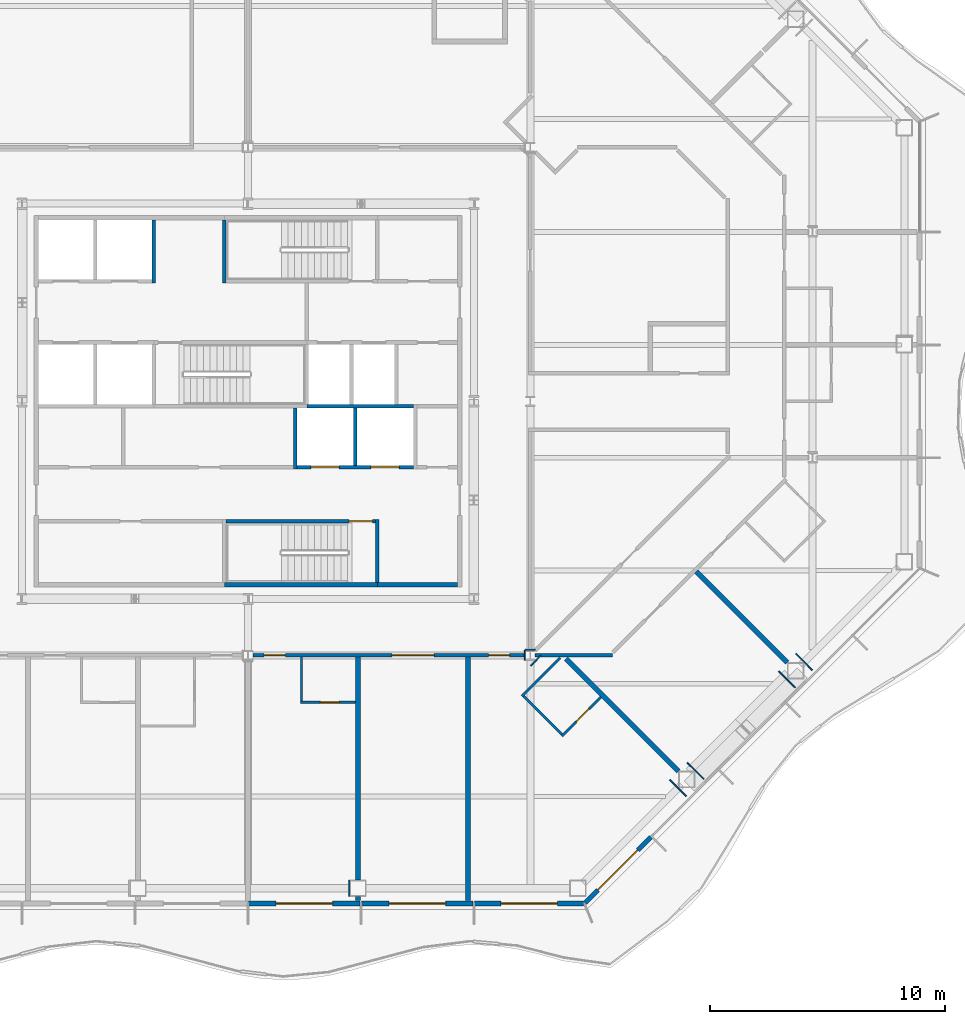
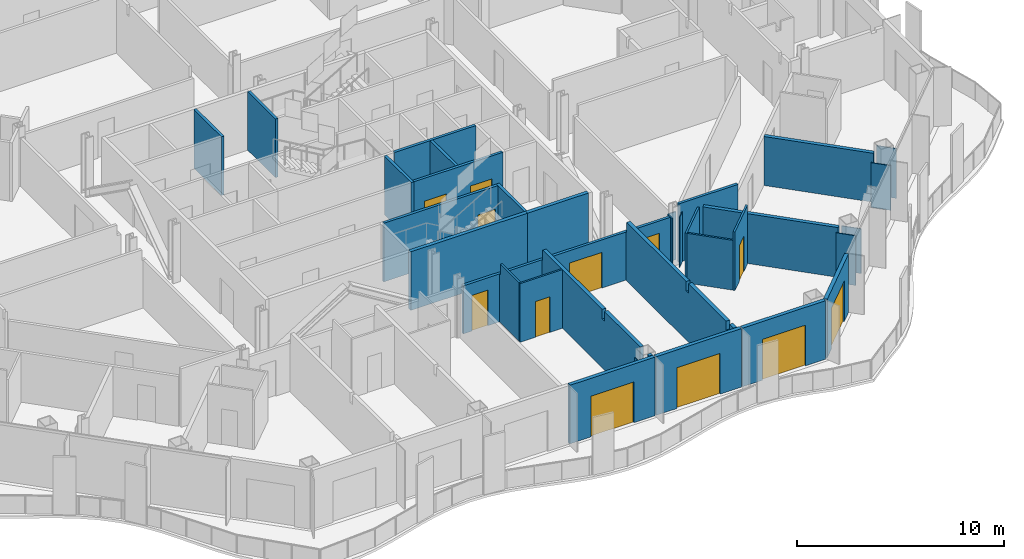
# One storey, part 9 of 21: 34 walls, 12 doors, 12 openings.
"""IFC4 building model written with IfcOpenShell, lengths in metres."""

from ifc_helpers import new_model, si_unit, direction, frame, frame_2d, origin, place, context, subcontext, project, spatial, polyline, rectangle, outline, extrude, material, layer, layer_set, type_object, element, fill, save


model = new_model("IFC4")

# Units and contexts
model_context = context("Model", 3, precision=1e-05, world=origin(), true_north=direction((0.0, 1.0)))
body_context = subcontext(model_context, "Body", "Model", "MODEL_VIEW")
ifc_project = project(units=[si_unit("LENGTHUNIT", "METRE"), si_unit("AREAUNIT", "SQUARE_METRE"), si_unit("VOLUMEUNIT", "CUBIC_METRE"), si_unit("PLANEANGLEUNIT", "RADIAN"), si_unit("MASSUNIT", "GRAM", prefix="KILO")], contexts=[model_context])

# Site, building, storey
site_placement = place(None, origin())
site = spatial("IfcSite", under=ifc_project, at=site_placement, CompositionType="ELEMENT")
building_placement = place(site_placement, origin())
building = spatial("IfcBuilding", under=site, at=building_placement, Name="Cairn Pilgrim Tower", CompositionType="ELEMENT")
storey_placement = place(building_placement, frame((0.0, 0.0, 139.800048828125)))
storey = spatial("IfcBuildingStorey", under=building, at=storey_placement, Name="L34", CompositionType="ELEMENT", Elevation=139.800048828125)

# Wall, opening, door
ifc_material_1 = material(Name="Bronze anodised aluminium insulated sandwich panel with mineral wool fill", Category="aluminium")
ifc_layer_1 = layer(ifc_material_1, 0.199951171875)
ifc_layer_set_1 = layer_set([ifc_layer_1], Name="BRONZE INFILL FRAME WALL 200")
wall_type_1 = type_object("IfcWallType", Name="BRONZE INFILL FRAME WALL 200", PredefinedType="NOTDEFINED", material=ifc_layer_set_1)
wall_1_placement = place(storey_placement, frame((7.22998046875, -18.949951171875, 0.0), z_axis=(0.0, 0.0, 1.0), x_axis=(1.0, 0.0, 0.0)))
wall_1 = element("IfcWall", 1, at=wall_1_placement, inside=storey, type_object=wall_type_1, Name="Bronze infill frame wall IW-S4", PredefinedType="NOTDEFINED", context=body_context, shape_type="SweptSolid", body=[
    extrude(rectangle(XDim=4.739990234375, YDim=0.199951171875, at=frame_2d((2.3701171875, 0.0))), origin(), (0.0, 0.0, 1.0), 3.449951171875),
])
opening_1_placement = place(wall_1_placement, frame((1.169921875, 0.0, 0.0)))
opening_1 = element("IfcOpeningElement", 2, at=opening_1_placement, cuts=wall_1, Name="Opening 3401B", PredefinedType="OPENING", context=body_context, shape_type="SweptSolid", body=[
    extrude(rectangle(XDim=2.39990234375, YDim=2.39990234375, at=frame_2d((1.199951171875, 1.199951171875))), frame((0.0, 0.10986328125, 0.0), z_axis=(0.0, -1.0, 0.0), x_axis=(1.0, 0.0, 0.0)), (0.0, 0.0, 1.0), 0.219970703125),
])
ifc_material_2 = material(Name="Bronze anodised aluminium frame with tinted low-E glass", Category="aluminium")
door_type_1 = type_object("IfcDoorType", Name="BALCONY SLIDING DOOR 2400x2400", OperationType="DOUBLE_DOOR_SLIDING", PredefinedType="DOOR", material=ifc_material_2)
door_1_placement = place(opening_1_placement, origin())
door_1 = element("IfcDoor", 3, at=door_1_placement, inside=storey, type_object=door_type_1, Name="Balcony sliding door 3401B", OperationType="SINGLE_SWING_LEFT", OverallHeight=2.39990234375, OverallWidth=2.39990234375, PredefinedType="DOOR", context=body_context, shape_type="SweptSolid", body=[
    extrude(rectangle(XDim=2.39990234375, YDim=2.39990234375, at=frame_2d((1.199951171875, 1.199951171875))), frame((0.0, 0.02490234375, 0.0), z_axis=(0.0, -1.0, 0.0), x_axis=(1.0, 0.0, 0.0)), (0.0, 0.0, 1.0), 0.050048828125),
])
fill(opening_1, door_1)

wall_2_placement = place(storey_placement, frame((12.030029296875, -18.949951171875, 0.0), z_axis=(0.0, 0.0, 1.0), x_axis=(1.0, 0.0, 0.0)))
wall_2 = element("IfcWall", 4, at=wall_2_placement, inside=storey, type_object=wall_type_1, Name="Bronze infill frame wall IW-S5", PredefinedType="NOTDEFINED", context=body_context, shape_type="SweptSolid", body=[
    extrude(rectangle(XDim=4.739990234375, YDim=0.199951171875, at=frame_2d((2.3701171875, 0.0))), origin(), (0.0, 0.0, 1.0), 3.449951171875),
])
opening_2_placement = place(wall_2_placement, frame((1.169677734375, 0.0, 0.0)))
opening_2 = element("IfcOpeningElement", 5, at=opening_2_placement, cuts=wall_2, Name="Opening 3402B", PredefinedType="OPENING", context=body_context, shape_type="SweptSolid", body=[
    extrude(rectangle(XDim=2.39990234375, YDim=2.39990234375, at=frame_2d((1.199951171875, 1.199951171875))), frame((0.0, 0.10986328125, 0.0), z_axis=(0.0, -1.0, 0.0), x_axis=(1.0, 0.0, 0.0)), (0.0, 0.0, 1.0), 0.219970703125),
])
door_2_placement = place(opening_2_placement, origin())
door_2 = element("IfcDoor", 6, at=door_2_placement, inside=storey, type_object=door_type_1, Name="Balcony sliding door 3402B", OperationType="SINGLE_SWING_LEFT", OverallHeight=2.39990234375, OverallWidth=2.39990234375, PredefinedType="DOOR", context=body_context, shape_type="SweptSolid", body=[
    extrude(rectangle(XDim=2.39990234375, YDim=2.39990234375, at=frame_2d((1.199951171875, 1.199951171875))), frame((0.0, 0.02490234375, 0.0), z_axis=(0.0, -1.0, 0.0), x_axis=(1.0, 0.0, 0.0)), (0.0, 0.0, 1.0), 0.050048828125),
])
fill(opening_2, door_2)

wall_3_placement = place(storey_placement, frame((16.830078125, -18.949951171875, 0.0), z_axis=(0.0, 0.0, 1.0), x_axis=(1.0, 0.0, 0.0)))
wall_3 = element("IfcWall", 7, at=wall_3_placement, inside=storey, type_object=wall_type_1, Name="Bronze infill frame wall IW-S6", PredefinedType="NOTDEFINED", context=body_context, shape_type="SweptSolid", body=[
    extrude(rectangle(XDim=4.62646484375, YDim=0.199951171875, at=frame_2d((2.313232421875, 0.0))), origin(), (0.0, 0.0, 1.0), 3.449951171875),
])
opening_3_placement = place(wall_3_placement, frame((1.118408203125, 0.0, 0.0)))
opening_3 = element("IfcOpeningElement", 8, at=opening_3_placement, cuts=wall_3, Name="Opening 3403B2", PredefinedType="OPENING", context=body_context, shape_type="SweptSolid", body=[
    extrude(rectangle(XDim=2.39990234375, YDim=2.39990234375, at=frame_2d((1.199951171875, 1.199951171875))), frame((0.0, 0.10986328125, 0.0), z_axis=(0.0, -1.0, 0.0), x_axis=(1.0, 0.0, 0.0)), (0.0, 0.0, 1.0), 0.219970703125),
])
door_3_placement = place(opening_3_placement, origin())
door_3 = element("IfcDoor", 9, at=door_3_placement, inside=storey, type_object=door_type_1, Name="Balcony sliding door 3403B2", OperationType="SINGLE_SWING_LEFT", OverallHeight=2.39990234375, OverallWidth=2.39990234375, PredefinedType="DOOR", context=body_context, shape_type="SweptSolid", body=[
    extrude(rectangle(XDim=2.39990234375, YDim=2.39990234375, at=frame_2d((1.199951171875, 1.199951171875))), frame((0.0, 0.02490234375, 0.0), z_axis=(0.0, -1.0, 0.0), x_axis=(1.0, 0.0, 0.0)), (0.0, 0.0, 1.0), 0.050048828125),
])
fill(opening_3, door_3)

wall_4_placement = place(storey_placement, frame((21.524658203125, -18.921630859375, 0.0), z_axis=(0.0, 0.0, 1.0), x_axis=(0.707137595296, 0.707075965734, 0.0)))
wall_4 = element("IfcWall", 10, at=wall_4_placement, inside=storey, type_object=wall_type_1, Name="Bronze infill frame wall IW-SE1", PredefinedType="NOTDEFINED", context=body_context, shape_type="SweptSolid", body=[
    extrude(rectangle(XDim=3.96142578125, YDim=0.199951171875, at=frame_2d((1.980712890625, 0.0))), origin(), (0.0, 0.0, 1.0), 3.449951171875),
])
opening_4_placement = place(wall_4_placement, frame((0.775390625, 0.0, 0.0)))
opening_4 = element("IfcOpeningElement", 11, at=opening_4_placement, cuts=wall_4, Name="Opening 3403B", PredefinedType="OPENING", context=body_context, shape_type="SweptSolid", body=[
    extrude(rectangle(XDim=2.39990234375, YDim=2.39990234375, at=frame_2d((1.199951171875, 1.199951171875))), frame((0.0, 0.10986328125, 0.0), z_axis=(0.0, -1.0, 0.0), x_axis=(1.0, 0.0, 0.0)), (0.0, 0.0, 1.0), 0.219970703125),
])
door_4_placement = place(opening_4_placement, origin())
door_4 = element("IfcDoor", 12, at=door_4_placement, inside=storey, type_object=door_type_1, Name="Balcony sliding door 3403B", OperationType="SINGLE_SWING_LEFT", OverallHeight=2.39990234375, OverallWidth=2.39990234375, PredefinedType="DOOR", context=body_context, shape_type="SweptSolid", body=[
    extrude(rectangle(XDim=2.39990234375, YDim=2.39990234375, at=frame_2d((1.199951171875, 1.199951171875))), frame((0.0, 0.02490234375, 0.0), z_axis=(0.0, -1.0, 0.0), x_axis=(1.0, 0.0, 0.0)), (0.0, 0.0, 1.0), 0.050048828125),
])
fill(opening_4, door_4)

# Wall
ifc_material_3 = material(Name="Concrete C32/40", Category="concrete")
ifc_layer_2 = layer(ifc_material_3, 0.199951171875)
ifc_layer_set_2 = layer_set([ifc_layer_2], Name="CORE OUTER WALL 200 EI 120")
wall_type_2 = type_object("IfcWallType", Name="CORE OUTER WALL 200 EI 120", PredefinedType="SOLIDWALL", material=ifc_layer_set_2)
wall_5_placement = place(storey_placement, frame((12.699951171875, -5.39990234375, 0.0), z_axis=(0.0, 0.0, 1.0), x_axis=(1.0, 0.0, 0.0)))
element("IfcWall", 13, at=wall_5_placement, inside=storey, type_object=wall_type_2, Name="CW:L34:H01-3", PredefinedType="SOLIDWALL", context=body_context, shape_type="SweptSolid", body=[
    extrude(rectangle(XDim=3.400146484375, YDim=0.199951171875, at=frame_2d((1.7001953125, 0.0))), origin(), (0.0, 0.0, 1.0), 3.449951171875),
])

# Wall, openings, doors
ifc_layer_3 = layer(ifc_material_3, 0.14990234375)
ifc_layer_set_3 = layer_set([ifc_layer_3], Name="CORE SHAFT WALL 150 EI 120")
wall_type_3 = type_object("IfcWallType", Name="CORE SHAFT WALL 150 EI 120", PredefinedType="SOLIDWALL", material=ifc_layer_set_3)
wall_6_placement = place(storey_placement, frame((9.27490234375, -0.39990234375, 0.0), z_axis=(0.0, 0.0, 1.0), x_axis=(1.0, 0.0, 0.0)))
wall_6 = element("IfcWall", 14, at=wall_6_placement, inside=storey, type_object=wall_type_3, Name="CW:L34:H05", PredefinedType="SOLIDWALL", context=body_context, shape_type="SweptSolid", body=[
    extrude(rectangle(XDim=4.9501953125, YDim=0.14990234375, at=frame_2d((2.47509765625, 0.0))), origin(), (0.0, 0.0, 1.0), 3.449951171875),
])
opening_5_placement = place(wall_6_placement, frame((0.60009765625, 0.0, 0.0)))
opening_5 = element("IfcOpeningElement", 15, at=opening_5_placement, cuts=wall_6, Name="Opening LD-SV1", PredefinedType="OPENING", context=body_context, shape_type="SweptSolid", body=[
    extrude(rectangle(XDim=1.199951171875, YDim=2.10009765625, at=frame_2d((0.60009765625, 1.050048828125))), frame((0.0, 0.0849609375, 0.0), z_axis=(0.0, -1.0, 0.0), x_axis=(1.0, 0.0, 0.0)), (0.0, 0.0, 1.0), 0.169921875),
])
opening_6_placement = place(wall_6_placement, frame((3.14990234375, 0.0, 0.0)))
opening_6 = element("IfcOpeningElement", 16, at=opening_6_placement, cuts=wall_6, Name="Opening LD-SV2", PredefinedType="OPENING", context=body_context, shape_type="SweptSolid", body=[
    extrude(rectangle(XDim=1.199951171875, YDim=2.10009765625, at=frame_2d((0.60009765625, 1.050048828125))), frame((0.0, 0.0849609375, 0.0), z_axis=(0.0, -1.0, 0.0), x_axis=(1.0, 0.0, 0.0)), (0.0, 0.0, 1.0), 0.169921875),
])
ifc_material_4 = material(Name="Stainless steel", Category="steel")
door_type_2 = type_object("IfcDoorType", Name="LIFT LANDING DOOR 1200x2100", OperationType="DOUBLE_DOOR_SLIDING", PredefinedType="DOOR", material=ifc_material_4)
door_5_placement = place(opening_5_placement, origin())
door_5 = element("IfcDoor", 17, at=door_5_placement, inside=storey, type_object=door_type_2, Name="LANDING DOOR SV1", OperationType="DOUBLE_DOOR_SLIDING", OverallHeight=2.10009765625, OverallWidth=1.199951171875, PredefinedType="DOOR", context=body_context, shape_type="SweptSolid", body=[
    extrude(rectangle(XDim=1.199951171875, YDim=2.10009765625, at=frame_2d((0.60009765625, 1.050048828125))), frame((0.0, 0.02490234375, 0.0), z_axis=(0.0, -1.0, 0.0), x_axis=(1.0, 0.0, 0.0)), (0.0, 0.0, 1.0), 0.050048828125),
])
fill(opening_5, door_5)
door_6_placement = place(opening_6_placement, origin())
door_6 = element("IfcDoor", 18, at=door_6_placement, inside=storey, type_object=door_type_2, Name="LANDING DOOR SV2", OperationType="DOUBLE_DOOR_SLIDING", OverallHeight=2.10009765625, OverallWidth=1.199951171875, PredefinedType="DOOR", context=body_context, shape_type="SweptSolid", body=[
    extrude(rectangle(XDim=1.199951171875, YDim=2.10009765625, at=frame_2d((0.60009765625, 1.050048828125))), frame((0.0, 0.02490234375, 0.0), z_axis=(0.0, -1.0, 0.0), x_axis=(1.0, 0.0, 0.0)), (0.0, 0.0, 1.0), 0.050048828125),
])
fill(opening_6, door_6)

# Walls
wall_7_placement = place(storey_placement, frame((9.699951171875, 2.199951171875, 0.0), z_axis=(0.0, 0.0, 1.0), x_axis=(1.0, 0.0, 0.0)))
element("IfcWall", 19, at=wall_7_placement, inside=storey, type_object=wall_type_3, Name="CW:L34:H07-3", PredefinedType="SOLIDWALL", context=body_context, shape_type="SweptSolid", body=[
    extrude(rectangle(XDim=4.525146484375, YDim=0.14990234375, at=frame_2d((2.2626953125, 0.0))), origin(), (0.0, 0.0, 1.0), 3.449951171875),
])
wall_8_placement = place(storey_placement, frame((3.199951171875, 7.425048828125, 0.0), z_axis=(0.0, 0.0, 1.0), x_axis=(0.0, 1.0, 0.0)))
element("IfcWall", 20, at=wall_8_placement, inside=storey, type_object=wall_type_3, Name="CW:L34:V18", PredefinedType="SOLIDWALL", context=body_context, shape_type="SweptSolid", body=[
    extrude(rectangle(XDim=2.675048828125, YDim=0.14990234375, at=frame_2d((1.33740234375, 0.0))), origin(), (0.0, 0.0, 1.0), 3.449951171875),
])
wall_9_placement = place(storey_placement, frame((9.199951171875, -0.47509765625, 0.0), z_axis=(0.0, 0.0, 1.0), x_axis=(0.0, 1.0, 0.0)))
element("IfcWall", 21, at=wall_9_placement, inside=storey, type_object=wall_type_3, Name="CW:L34:V21", PredefinedType="SOLIDWALL", context=body_context, shape_type="SweptSolid", body=[
    extrude(rectangle(XDim=2.60009765625, YDim=0.14990234375, at=frame_2d((1.300048828125, 0.0))), origin(), (0.0, 0.0, 1.0), 3.449951171875),
])
wall_10_placement = place(storey_placement, frame((11.75, -0.324951171875, 0.0), z_axis=(0.0, 0.0, 1.0), x_axis=(0.0, 1.0, 0.0)))
element("IfcWall", 22, at=wall_10_placement, inside=storey, type_object=wall_type_3, Name="CW:L34:V25", PredefinedType="SOLIDWALL", context=body_context, shape_type="SweptSolid", body=[
    extrude(rectangle(XDim=2.449951171875, YDim=0.14990234375, at=frame_2d((1.22509765625, 0.0))), origin(), (0.0, 0.0, 1.0), 3.449951171875),
])

# Wall, opening, door
ifc_material_5 = material(Name="Gypsum partition")
ifc_layer_4 = layer(ifc_material_5, 0.10009765625)
ifc_layer_set_4 = layer_set([ifc_layer_4], Name="PARTITION 100 DRYWALL")
wall_type_4 = type_object("IfcWallType", Name="PARTITION 100 DRYWALL", PredefinedType="PARTITIONING", material=ifc_layer_set_4)
wall_11_placement = place(storey_placement, frame((20.54052734375, -11.829345703125, 0.0), z_axis=(0.0, 0.0, 1.0), x_axis=(0.707158722772, 0.707054835785, 0.0)))
wall_11 = element("IfcWall", 23, at=wall_11_placement, inside=storey, type_object=wall_type_4, Name="PARTITION W012", PredefinedType="PARTITIONING", context=body_context, shape_type="SweptSolid", body=[
    extrude(rectangle(XDim=2.35009765625, YDim=0.10009765625, at=frame_2d((1.175048828125, 0.0))), origin(), (0.0, 0.0, 1.0), 3.449951171875),
])
opening_7_placement = place(wall_11_placement, frame((0.85009765625, 0.0, 0.0)))
opening_7 = element("IfcOpeningElement", 24, at=opening_7_placement, cuts=wall_11, Name="Opening 3403A", PredefinedType="OPENING", context=body_context, shape_type="SweptSolid", body=[
    extrude(rectangle(XDim=0.800048828125, YDim=2.10009765625, at=frame_2d((0.39990234375, 1.050048828125))), frame((0.0, 0.06005859375, 0.0), z_axis=(0.0, -1.0, 0.0), x_axis=(1.0, 0.0, 0.0)), (0.0, 0.0, 1.0), 0.1201171875),
])
ifc_material_6 = material(Name="Timber door leaf", Category="wood")
door_type_3 = type_object("IfcDoorType", Name="WC DOOR 800x2100", OperationType="NOTDEFINED", PredefinedType="DOOR", material=ifc_material_6)
door_7_placement = place(opening_7_placement, frame((0.800048828125, 0.0, 0.0), z_axis=(0.0, 0.0, 1.0), x_axis=(-1.0, 0.0, 0.0)))
door_7 = element("IfcDoor", 25, at=door_7_placement, inside=storey, type_object=door_type_3, Name="DOOR 3403A", OperationType="SINGLE_SWING_LEFT", OverallHeight=2.10009765625, OverallWidth=0.800048828125, PredefinedType="DOOR", context=body_context, shape_type="SweptSolid", body=[
    extrude(rectangle(XDim=0.800048828125, YDim=2.10009765625, at=frame_2d((0.39990234375, 1.050048828125))), frame((0.0, 0.02490234375, 0.0), z_axis=(0.0, -1.0, 0.0), x_axis=(1.0, 0.0, 0.0)), (0.0, 0.0, 1.0), 0.050048828125),
])
fill(opening_7, door_7)

# Wall
wall_12_placement = place(storey_placement, frame((20.54052734375, -11.758544921875, 0.0), z_axis=(0.0, 0.0, 1.0), x_axis=(-0.707106781187, 0.707106781187, 0.0)))
element("IfcWall", 26, at=wall_12_placement, inside=storey, type_object=wall_type_4, Name="PARTITION W013", PredefinedType="PARTITIONING", context=body_context, shape_type="SweptSolid", body=[
    extrude(rectangle(XDim=2.2998046875, YDim=0.10009765625, at=frame_2d((1.14990234375, 0.0))), origin(), (0.0, 0.0, 1.0), 2.929931640625),
])

# Wall, opening, door
wall_13_placement = place(storey_placement, frame((9.426025390625, -10.39990234375, 0.0), z_axis=(0.0, 0.0, 1.0), x_axis=(1.0, 0.0, 0.0)))
wall_13 = element("IfcWall", 27, at=wall_13_placement, inside=storey, type_object=wall_type_4, Name="PARTITION W018", PredefinedType="PARTITIONING", context=body_context, shape_type="SweptSolid", body=[
    extrude(rectangle(XDim=2.349853515625, YDim=0.10009765625, at=frame_2d((1.1748046875, 0.0))), origin(), (0.0, 0.0, 1.0), 3.449951171875),
])
opening_8_placement = place(wall_13_placement, frame((0.85009765625, 0.0, 0.0)))
opening_8 = element("IfcOpeningElement", 28, at=opening_8_placement, cuts=wall_13, Name="Opening 3401A", PredefinedType="OPENING", context=body_context, shape_type="SweptSolid", body=[
    extrude(rectangle(XDim=0.800048828125, YDim=2.10009765625, at=frame_2d((0.39990234375, 1.050048828125))), frame((0.0, 0.06005859375, 0.0), z_axis=(0.0, -1.0, 0.0), x_axis=(1.0, 0.0, 0.0)), (0.0, 0.0, 1.0), 0.1201171875),
])
door_8_placement = place(opening_8_placement, frame((0.800048828125, 0.0, 0.0), z_axis=(0.0, 0.0, 1.0), x_axis=(-1.0, 0.0, 0.0)))
door_8 = element("IfcDoor", 29, at=door_8_placement, inside=storey, type_object=door_type_3, Name="DOOR 3401A", OperationType="SINGLE_SWING_LEFT", OverallHeight=2.10009765625, OverallWidth=0.800048828125, PredefinedType="DOOR", context=body_context, shape_type="SweptSolid", body=[
    extrude(rectangle(XDim=0.800048828125, YDim=2.10009765625, at=frame_2d((0.39990234375, 1.050048828125))), frame((0.0, 0.02490234375, 0.0), z_axis=(0.0, -1.0, 0.0), x_axis=(1.0, 0.0, 0.0)), (0.0, 0.0, 1.0), 0.050048828125),
])
fill(opening_8, door_8)

# Walls
wall_14_placement = place(storey_placement, frame((9.47607421875, -10.35009765625, 0.0), z_axis=(0.0, 0.0, 1.0), x_axis=(0.0, 1.0, 0.0)))
element("IfcWall", 30, at=wall_14_placement, inside=storey, type_object=wall_type_4, Name="PARTITION W020", PredefinedType="PARTITIONING", context=body_context, shape_type="SweptSolid", body=[
    extrude(outline(polyline([(0.0, 0.0), (1.875, 0.0), (1.875, 2.829833984375), (1.800048828125, 2.829833984375), (1.798095703125, 3.449951171875), (0.0, 3.449951171875), (0.0, 0.0)])), frame((0.0, 0.050048828125, 0.0), z_axis=(0.0, -1.0, 0.0), x_axis=(1.0, 0.0, 0.0)), (0.0, 0.0, 1.0), 0.10009765625),
])
wall_15_placement = place(storey_placement, frame((18.843505859375, -10.13232421875, 0.0), z_axis=(0.0, 0.0, 1.0), x_axis=(0.707159989116, 0.707053569253, 0.0)))
element("IfcWall", 31, at=wall_15_placement, inside=storey, type_object=wall_type_4, Name="PARTITION W022", PredefinedType="PARTITIONING", context=body_context, shape_type="SweptSolid", body=[
    extrude(rectangle(XDim=2.294189453125, YDim=0.10009765625, at=frame_2d((1.14697265625, 0.0))), origin(), (0.0, 0.0, 1.0), 2.929931640625),
])

# Wall, openings, doors
ifc_layer_5 = layer(ifc_material_5, 0.14990234375)
ifc_layer_set_5 = layer_set([ifc_layer_5], Name="PARTITION 150 DRYWALL EI 60")
wall_type_5 = type_object("IfcWallType", Name="PARTITION 150 DRYWALL EI 60", PredefinedType="PARTITIONING", material=ifc_layer_set_5)
wall_16_placement = place(storey_placement, frame((7.404541015625, -8.39990234375, 0.0), z_axis=(0.0, 0.0, 1.0), x_axis=(1.0, 0.0, 0.0)))
wall_16 = element("IfcWall", 32, at=wall_16_placement, inside=storey, type_object=wall_type_5, Name="PARTITION W027", PredefinedType="PARTITIONING", context=body_context, shape_type="SweptSolid", body=[
    extrude(rectangle(XDim=11.591064453125, YDim=0.14990234375, at=frame_2d((5.79541015625, 0.0))), origin(), (0.0, 0.0, 1.0), 2.829833984375),
])
opening_9_placement = place(wall_16_placement, frame((0.4833984375, 0.0, 0.0)))
opening_9 = element("IfcOpeningElement", 33, at=opening_9_placement, cuts=wall_16, Name="Opening 3401", PredefinedType="OPENING", context=body_context, shape_type="SweptSolid", body=[
    extrude(rectangle(XDim=0.89990234375, YDim=2.10009765625, at=frame_2d((0.449951171875, 1.050048828125))), frame((0.0, 0.0849609375, 0.0), z_axis=(0.0, -1.0, 0.0), x_axis=(1.0, 0.0, 0.0)), (0.0, 0.0, 1.0), 0.169921875),
])
opening_10_placement = place(wall_16_placement, frame((5.909423828125, 0.0, 0.0)))
opening_10 = element("IfcOpeningElement", 34, at=opening_10_placement, cuts=wall_16, Name="Opening 3402", PredefinedType="OPENING", context=body_context, shape_type="SweptSolid", body=[
    extrude(rectangle(XDim=1.800048828125, YDim=2.10009765625, at=frame_2d((0.89990234375, 1.050048828125))), frame((0.0, 0.0849609375, 0.0), z_axis=(0.0, -1.0, 0.0), x_axis=(1.0, 0.0, 0.0)), (0.0, 0.0, 1.0), 0.169921875),
])
opening_11_placement = place(wall_16_placement, frame((10.021484375, 0.0, 0.0)))
opening_11 = element("IfcOpeningElement", 35, at=opening_11_placement, cuts=wall_16, Name="Opening 3403", PredefinedType="OPENING", context=body_context, shape_type="SweptSolid", body=[
    extrude(rectangle(XDim=0.89990234375, YDim=2.10009765625, at=frame_2d((0.449951171875, 1.050048828125))), frame((0.0, 0.0849609375, 0.0), z_axis=(0.0, -1.0, 0.0), x_axis=(1.0, 0.0, 0.0)), (0.0, 0.0, 1.0), 0.169921875),
])
door_type_4 = type_object("IfcDoorType", Name="DOOR PAIR 1800x2100 FD60S", OperationType="NOTDEFINED", PredefinedType="DOOR", material=ifc_material_6)
door_9_placement = place(opening_10_placement, frame((1.800048828125, 0.0, 0.0), z_axis=(0.0, 0.0, 1.0), x_axis=(-1.0, 0.0, 0.0)))
door_9 = element("IfcDoor", 36, at=door_9_placement, inside=storey, type_object=door_type_4, Name="DOOR 3402", OperationType="DOUBLE_DOOR_SINGLE_SWING", OverallHeight=2.10009765625, OverallWidth=1.800048828125, PredefinedType="DOOR", context=body_context, shape_type="SweptSolid", body=[
    extrude(rectangle(XDim=1.800048828125, YDim=2.10009765625, at=frame_2d((0.89990234375, 1.050048828125))), frame((0.0, 0.02490234375, 0.0), z_axis=(0.0, -1.0, 0.0), x_axis=(1.0, 0.0, 0.0)), (0.0, 0.0, 1.0), 0.050048828125),
])
fill(opening_10, door_9)
door_type_5 = type_object("IfcDoorType", Name="ROOM DOOR 900x2100 FD30S", OperationType="NOTDEFINED", PredefinedType="DOOR", material=ifc_material_6)
door_10_placement = place(opening_9_placement, frame((0.89990234375, 0.0, 0.0), z_axis=(0.0, 0.0, 1.0), x_axis=(-1.0, 0.0, 0.0)))
door_10 = element("IfcDoor", 37, at=door_10_placement, inside=storey, type_object=door_type_5, Name="DOOR 3401", OperationType="SINGLE_SWING_LEFT", OverallHeight=2.10009765625, OverallWidth=0.89990234375, PredefinedType="DOOR", context=body_context, shape_type="SweptSolid", body=[
    extrude(rectangle(XDim=0.89990234375, YDim=2.10009765625, at=frame_2d((0.449951171875, 1.050048828125))), frame((0.0, 0.02490234375, 0.0), z_axis=(0.0, -1.0, 0.0), x_axis=(1.0, 0.0, 0.0)), (0.0, 0.0, 1.0), 0.050048828125),
])
fill(opening_9, door_10)
door_11_placement = place(opening_11_placement, frame((0.89990234375, 0.0, 0.0), z_axis=(0.0, 0.0, 1.0), x_axis=(-1.0, 0.0, 0.0)))
door_11 = element("IfcDoor", 38, at=door_11_placement, inside=storey, type_object=door_type_5, Name="DOOR 3403", OperationType="SINGLE_SWING_LEFT", OverallHeight=2.10009765625, OverallWidth=0.89990234375, PredefinedType="DOOR", context=body_context, shape_type="SweptSolid", body=[
    extrude(rectangle(XDim=0.89990234375, YDim=2.10009765625, at=frame_2d((0.449951171875, 1.050048828125))), frame((0.0, 0.02490234375, 0.0), z_axis=(0.0, -1.0, 0.0), x_axis=(1.0, 0.0, 0.0)), (0.0, 0.0, 1.0), 0.050048828125),
])
fill(opening_11, door_11)

# Walls
wall_17_placement = place(storey_placement, frame((19.404541015625, -8.39990234375, 0.0), z_axis=(0.0, 0.0, 1.0), x_axis=(1.0, 0.0, 0.0)))
element("IfcWall", 39, at=wall_17_placement, inside=storey, type_object=wall_type_5, Name="PARTITION W028", PredefinedType="PARTITIONING", context=body_context, shape_type="SweptSolid", body=[
    extrude(rectangle(XDim=3.29541015625, YDim=0.14990234375, at=frame_2d((1.647705078125, 0.0))), origin(), (0.0, 0.0, 1.0), 3.449951171875),
])
ifc_layer_6 = layer(ifc_material_5, 0.050048828125)
ifc_layer_set_6 = layer_set([ifc_layer_6], Name="PARTITION 50 DRYWALL EI 60")
wall_type_6 = type_object("IfcWallType", Name="PARTITION 50 DRYWALL EI 60", PredefinedType="PARTITIONING", material=ifc_layer_set_6)
wall_18_placement = place(storey_placement, frame((11.500732421875, -18.64990234375, 0.0), z_axis=(0.0, 0.0, 1.0), x_axis=(0.0, 1.0, 0.0)))
element("IfcWall", 40, at=wall_18_placement, inside=storey, type_object=wall_type_6, Name="COLUMN CASING WC03", PredefinedType="PARTITIONING", context=body_context, shape_type="SweptSolid", body=[
    extrude(rectangle(XDim=0.699951171875, YDim=0.050048828125, at=frame_2d((0.35009765625, 0.0))), origin(), (0.0, 0.0, 1.0), 2.929931640625),
])
wall_19_placement = place(storey_placement, frame((25.833740234375, -14.393310546875, 0.0), z_axis=(0.0, 0.0, 1.0), x_axis=(-0.707106781187, 0.707106781187, 0.0)))
element("IfcWall", 41, at=wall_19_placement, inside=storey, type_object=wall_type_6, Name="COLUMN CASING WC06", PredefinedType="PARTITIONING", context=body_context, shape_type="SweptSolid", body=[
    extrude(rectangle(XDim=0.989990234375, YDim=0.050048828125, at=frame_2d((0.4951171875, 0.0))), origin(), (0.0, 0.0, 1.0), 2.929931640625),
])
for number, where, z_axis, x_axis, name in (
    (42, (26.569091796875, -13.657958984375, 0.0), (0.0, 0.0, 1.0), (-0.707106781187, 0.707106781187, 0.0), "COLUMN CASING WC07"),
    (43, (30.4580078125, -9.769287109375, 0.0), (0.0, 0.0, 1.0), (-0.706983473703, 0.707230067171, 0.0), "COLUMN CASING WC09"),
):
    element("IfcWall", number, at=place(storey_placement, frame(where, z_axis=z_axis, x_axis=x_axis)), inside=storey, type_object=wall_type_6, Name=name, PredefinedType="PARTITIONING", context=body_context, shape_type="SweptSolid", body=[
        extrude(rectangle(XDim=0.989990234375, YDim=0.050048828125, at=frame_2d((0.4951171875, 0.0))), origin(), (0.0, 0.0, 1.0), 2.6298828125),
    ])
wall_20_placement = place(storey_placement, frame((31.193359375, -9.03369140625, 0.0), z_axis=(0.0, 0.0, 1.0), x_axis=(-0.707106781187, 0.707106781187, 0.0)))
element("IfcWall", 44, at=wall_20_placement, inside=storey, type_object=wall_type_6, Name="COLUMN CASING WC10", PredefinedType="PARTITIONING", context=body_context, shape_type="SweptSolid", body=[
    extrude(rectangle(XDim=0.989990234375, YDim=0.050048828125, at=frame_2d((0.4951171875, 0.0))), origin(), (0.0, 0.0, 1.0), 2.929931640625),
])
wall_21_placement = place(storey_placement, frame((18.99560546875, -8.16259765625, 0.0), z_axis=(0.0, 0.0, 1.0), x_axis=(1.0, 0.0, 0.0)))
element("IfcWall", 45, at=wall_21_placement, inside=storey, type_object=wall_type_6, Name="COLUMN CASING WC13", PredefinedType="PARTITIONING", context=body_context, shape_type="SweptSolid", body=[
    extrude(rectangle(XDim=0.408935546875, YDim=0.050048828125, at=frame_2d((0.20458984375, 0.0))), origin(), (0.0, 0.0, 1.0), 2.829833984375),
])
wall_22_placement = place(storey_placement, frame((18.970458984375, -8.612548828125, 0.0), z_axis=(0.0, 0.0, 1.0), x_axis=(0.0, 1.0, 0.0)))
element("IfcWall", 46, at=wall_22_placement, inside=storey, type_object=wall_type_6, Name="COLUMN CASING WC16", PredefinedType="PARTITIONING", context=body_context, shape_type="SweptSolid", body=[
    extrude(rectangle(XDim=0.425048828125, YDim=0.050048828125, at=frame_2d((0.21240234375, 0.0))), origin(), (0.0, 0.0, 1.0), 2.829833984375),
])
wall_23_placement = place(storey_placement, frame((19.2177734375, -8.834716796875, 0.0), z_axis=(0.0, 0.0, 1.0), x_axis=(0.707106781187, 0.707106781187, 0.0)))
element("IfcWall", 47, at=wall_23_placement, inside=storey, type_object=wall_type_6, Name="COLUMN CASING WC17", PredefinedType="PARTITIONING", context=body_context, shape_type="SweptSolid", body=[
    extrude(rectangle(XDim=0.589599609375, YDim=0.050048828125, at=frame_2d((0.294921875, 0.0))), origin(), (0.0, 0.0, 1.0), 2.929931640625),
])
ifc_layer_7 = layer(ifc_material_5, 0.199951171875)
ifc_layer_set_7 = layer_set([ifc_layer_7], Name="SHAFT WALL 200 GYPSUM EI 60")
wall_type_7 = type_object("IfcWallType", Name="SHAFT WALL 200 GYPSUM EI 60", PredefinedType="PARTITIONING", material=ifc_layer_set_7)
wall_24_placement = place(storey_placement, frame((11.8759765625, -18.820068359375, 0.0), z_axis=(0.0, 0.0, 1.0), x_axis=(0.0, 1.0, 0.0)))
element("IfcWall", 48, at=wall_24_placement, inside=storey, type_object=wall_type_7, Name="PARTITION W004", PredefinedType="PARTITIONING", context=body_context, shape_type="SweptSolid", body=[
    extrude(rectangle(XDim=0.170166015625, YDim=0.199951171875, at=frame_2d((0.0849609375, 0.0))), origin(), (0.0, 0.0, 1.0), 3.449951171875),
])
wall_25_placement = place(storey_placement, frame((16.552001953125, -18.820068359375, 0.0), z_axis=(0.0, 0.0, 1.0), x_axis=(0.0, 1.0, 0.0)))
element("IfcWall", 49, at=wall_25_placement, inside=storey, type_object=wall_type_7, Name="PARTITION W005", PredefinedType="PARTITIONING", context=body_context, shape_type="SweptSolid", body=[
    extrude(outline(polyline([(0.0, 0.0), (10.344970703125, 0.0), (10.344970703125, 2.829833984375), (10.27001953125, 2.829833984375), (10.26806640625, 3.449951171875), (4.52490234375, 3.449951171875), (4.52294921875, 2.8798828125), (4.31494140625, 2.8798828125), (4.31298828125, 3.449951171875), (0.669921875, 3.449951171875), (0.66796875, 2.929931640625), (0.3701171875, 2.929931640625), (0.367919921875, 3.449951171875), (0.0, 3.449951171875), (0.0, 0.0)])), frame((0.0, 0.10009765625, 0.0), z_axis=(0.0, -1.0, 0.0), x_axis=(1.0, 0.0, 0.0)), (0.0, 0.0, 1.0), 0.199951171875),
])
wall_26_placement = place(storey_placement, frame((11.8759765625, -17.949951171875, 0.0), z_axis=(0.0, 0.0, 1.0), x_axis=(0.0, 1.0, 0.0)))
element("IfcWall", 50, at=wall_26_placement, inside=storey, type_object=wall_type_7, Name="PARTITION W007", PredefinedType="PARTITIONING", context=body_context, shape_type="SweptSolid", body=[
    extrude(outline(polyline([(0.0, 0.0), (9.474853515625, 0.0), (9.47509765625, 2.829833984375), (9.39990234375, 2.829833984375), (9.39794921875, 3.449951171875), (3.655029296875, 3.449951171875), (3.653076171875, 2.8798828125), (3.445068359375, 2.8798828125), (3.443115234375, 3.449951171875), (0.0, 3.449951171875), (0.0, 0.0)])), frame((0.0, 0.10009765625, 0.0), z_axis=(0.0, -1.0, 0.0), x_axis=(1.0, 0.0, 0.0)), (0.0, 0.0, 1.0), 0.199951171875),
])
wall_27_placement = place(storey_placement, frame((25.501708984375, -13.32568359375, 0.0), z_axis=(0.0, 0.0, 1.0), x_axis=(-0.707106781187, 0.707106781187, 0.0)))
element("IfcWall", 51, at=wall_27_placement, inside=storey, type_object=wall_type_7, Name="PARTITION W009", PredefinedType="PARTITIONING", context=body_context, shape_type="SweptSolid", body=[
    extrude(rectangle(XDim=6.760009765625, YDim=0.199951171875, at=frame_2d((3.3798828125, 0.0))), origin(), (0.0, 0.0, 1.0), 2.929931640625),
])
wall_28_placement = place(storey_placement, frame((30.12548828125, -8.70166015625, 0.0), z_axis=(0.0, 0.0, 1.0), x_axis=(-0.707084440093, 0.707129121574, 0.0)))
element("IfcWall", 52, at=wall_28_placement, inside=storey, type_object=wall_type_7, Name="PARTITION W024", PredefinedType="PARTITIONING", context=body_context, shape_type="SweptSolid", body=[
    extrude(rectangle(XDim=5.464111328125, YDim=0.199951171875, at=frame_2d((2.73193359375, 0.0))), origin(), (0.0, 0.0, 1.0), 2.8798828125),
])

# Wall, opening, door
ifc_material_7 = material(Name="Concrete C35/45", Category="concrete")
ifc_layer_8 = layer(ifc_material_7, 0.14990234375)
ifc_layer_set_8 = layer_set([ifc_layer_8], Name="STAIR SHAFT WALL 150 EI 120")
wall_type_8 = type_object("IfcWallType", Name="STAIR SHAFT WALL 150 EI 120", PredefinedType="SOLIDWALL", material=ifc_layer_set_8)
wall_29_placement = place(storey_placement, frame((6.27490234375, -2.699951171875, 0.0), z_axis=(0.0, 0.0, 1.0), x_axis=(1.0, 0.0, 0.0)))
wall_29 = element("IfcWall", 53, at=wall_29_placement, inside=storey, type_object=wall_type_8, Name="CW:L34:H03", PredefinedType="SOLIDWALL", context=body_context, shape_type="SweptSolid", body=[
    extrude(rectangle(XDim=6.35009765625, YDim=0.14990234375, at=frame_2d((3.175048828125, 0.0))), origin(), (0.0, 0.0, 1.0), 3.449951171875),
])
opening_12_placement = place(wall_29_placement, frame((5.22509765625, 0.0, 0.0)))
opening_12 = element("IfcOpeningElement", 54, at=opening_12_placement, cuts=wall_29, Name="Opening SD-A", PredefinedType="OPENING", context=body_context, shape_type="SweptSolid", body=[
    extrude(rectangle(XDim=1.0, YDim=2.10009765625, at=frame_2d((0.5, 1.050048828125))), frame((0.0, 0.0849609375, 0.0), z_axis=(0.0, -1.0, 0.0), x_axis=(1.0, 0.0, 0.0)), (0.0, 0.0, 1.0), 0.169921875),
])
ifc_material_8 = material(Name="Painted steel", Category="steel")
door_type_6 = type_object("IfcDoorType", Name="STAIR DOOR FD60S 1000x2100", OperationType="SINGLE_SWING_LEFT", PredefinedType="DOOR", material=ifc_material_8)
door_12_placement = place(opening_12_placement, origin())
door_12 = element("IfcDoor", 55, at=door_12_placement, inside=storey, type_object=door_type_6, Name="SD-A", OperationType="SINGLE_SWING_LEFT", OverallHeight=2.10009765625, OverallWidth=1.0, PredefinedType="DOOR", context=body_context, shape_type="SweptSolid", body=[
    extrude(rectangle(XDim=1.0, YDim=2.10009765625, at=frame_2d((0.5, 1.050048828125))), frame((0.0, 0.02490234375, 0.0), z_axis=(0.0, -1.0, 0.0), x_axis=(1.0, 0.0, 0.0)), (0.0, 0.0, 1.0), 0.050048828125),
])
fill(opening_12, door_12)

# Walls
for number, where, z_axis, x_axis, name in (
    (56, (6.199951171875, 7.425048828125, 0.0), (0.0, 0.0, 1.0), (0.0, 1.0, 0.0), "CW:L34:V20"),
    (57, (12.699951171875, -5.300048828125, 0.0), (0.0, 0.0, 1.0), (0.0, 1.0, 0.0), "CW:L34:V26"),
):
    element("IfcWall", number, at=place(storey_placement, frame(where, z_axis=z_axis, x_axis=x_axis)), inside=storey, type_object=wall_type_8, Name=name, PredefinedType="SOLIDWALL", context=body_context, shape_type="SweptSolid", body=[
        extrude(rectangle(XDim=2.675048828125, YDim=0.14990234375, at=frame_2d((1.33740234375, 0.0))), origin(), (0.0, 0.0, 1.0), 3.449951171875),
    ])
ifc_layer_9 = layer(ifc_material_7, 0.199951171875)
ifc_layer_set_9 = layer_set([ifc_layer_9], Name="STAIR SHAFT WALL 200 EI 120")
wall_type_9 = type_object("IfcWallType", Name="STAIR SHAFT WALL 200 EI 120", PredefinedType="SOLIDWALL", material=ifc_layer_set_9)
wall_30_placement = place(storey_placement, frame((6.199951171875, -5.39990234375, 0.0), z_axis=(0.0, 0.0, 1.0), x_axis=(1.0, 0.0, 0.0)))
element("IfcWall", 58, at=wall_30_placement, inside=storey, type_object=wall_type_9, Name="CW:L34:H01-2", PredefinedType="SOLIDWALL", context=body_context, shape_type="SweptSolid", body=[
    extrude(rectangle(XDim=6.5, YDim=0.199951171875, at=frame_2d((3.25, 0.0))), origin(), (0.0, 0.0, 1.0), 3.449951171875),
])

save(model, "model.ifc")
